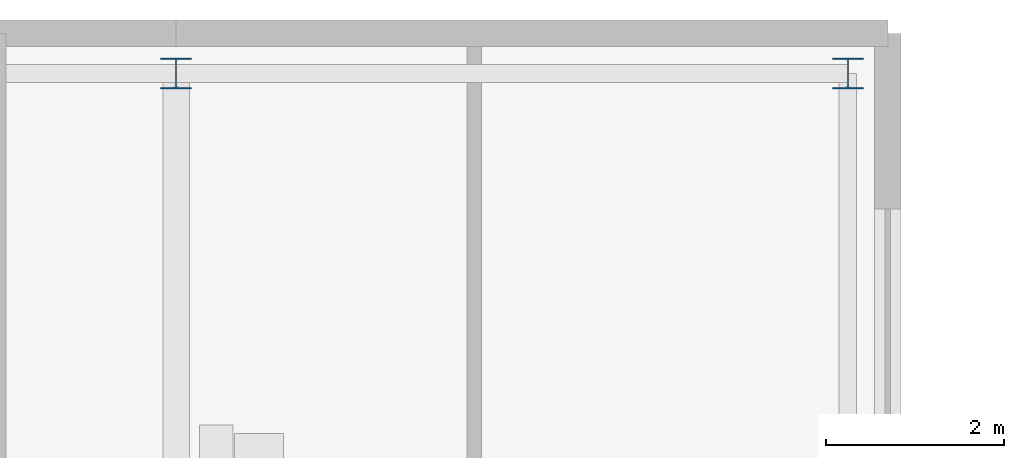
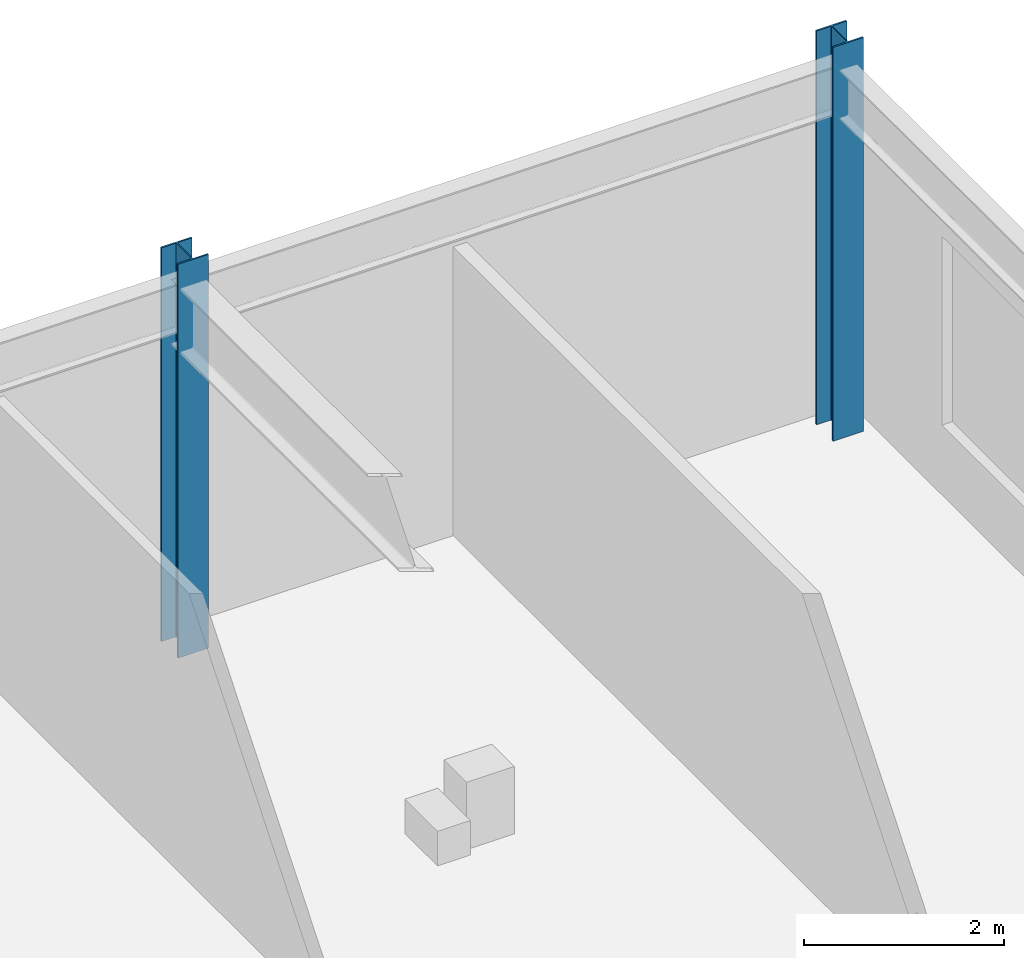
# One storey, part 4 of 26: 2 columns.
"""IFC4 building model written with IfcOpenShell, lengths in metres."""

from ifc_helpers import new_model, si_unit, direction, frame, origin, origin_2d, place, context, subcontext, project, spatial, i_section, extrude, material, material_profile, profile_set, type_object, element, save


model = new_model("IFC4")

# Units and contexts
model_context = context("Model", 3, precision=1e-05, world=origin(), true_north=direction((0.0, 1.0)))
body_context = subcontext(model_context, "Body", "Model", "MODEL_VIEW")
ifc_project = project(units=[si_unit("LENGTHUNIT", "METRE"), si_unit("AREAUNIT", "SQUARE_METRE"), si_unit("VOLUMEUNIT", "CUBIC_METRE"), si_unit("PLANEANGLEUNIT", "RADIAN"), si_unit("MASSUNIT", "GRAM", prefix="KILO")], contexts=[model_context])

# Site, building, storey
site_placement = place(None, origin())
site = spatial("IfcSite", under=ifc_project, at=site_placement, CompositionType="ELEMENT")
building_placement = place(site_placement, origin())
building = spatial("IfcBuilding", under=site, at=building_placement, Name="Veldorina Hangang Commons", CompositionType="ELEMENT")
storey_placement = place(building_placement, frame((0.0, 0.0, 10.0)))
storey = spatial("IfcBuildingStorey", under=building, at=storey_placement, Name="L02", CompositionType="ELEMENT", Elevation=10.0)

# Columns
ifc_material = material(Name="Steel SM420-TMC", Category="steel")
ifc_material_profile = material_profile(ifc_material, i_section(OverallWidth=0.35009765625, OverallDepth=0.35009765625, WebThickness=0.011962890625, FlangeThickness=0.01904296875, FilletRadius=0.01611328125, at=origin_2d()), Name="H-350x350x12x19")
ifc_profile_set = profile_set([ifc_material_profile], Name="Steel SM420-TMC")
column_type = type_object("IfcColumnType", Name="COL-H350", PredefinedType="COLUMN", material=ifc_profile_set)
for number, where, z_axis, x_axis, name in (
    (1, (52.0, 44.550048828125, 0.0), (0.0, 0.0, 1.0), (1.0, 0.0, 0.0), "L02 structural column N6"),
    (2, (59.550048828125, 44.550048828125, 0.0), (0.0, 0.0, 1.0), (1.0, 0.0, 0.0), "L02 structural column N7"),
):
    element("IfcColumn", number, at=place(storey_placement, frame(where, z_axis=z_axis, x_axis=x_axis)), inside=storey, type_object=column_type, Name=name, PredefinedType="COLUMN", context=body_context, shape_type="SweptSolid", body=[
        extrude(i_section(OverallWidth=0.35009765625, OverallDepth=0.35009765625, WebThickness=0.011962890625, FlangeThickness=0.01904296875, FilletRadius=0.01611328125, at=origin_2d()), origin(), (0.0, 0.0, 1.0), 4.800048828125),
    ])

save(model, "model.ifc")
